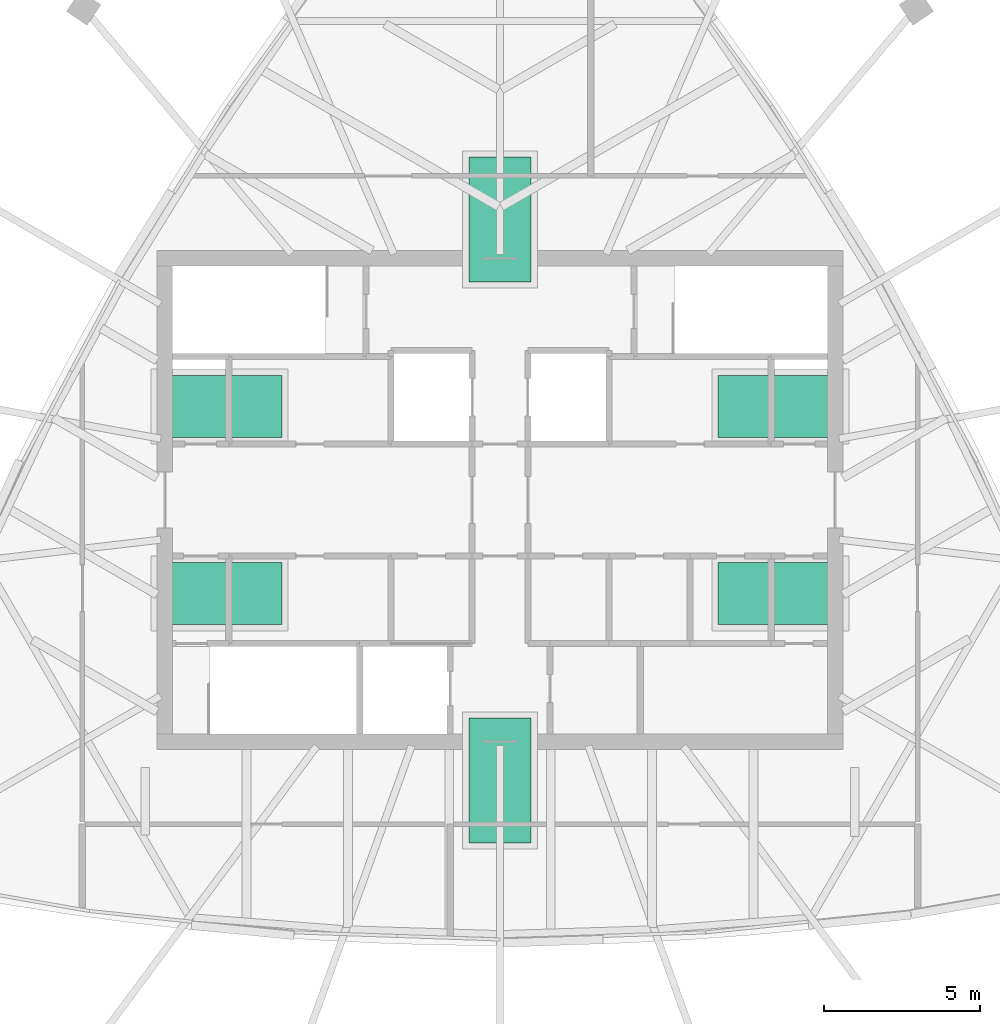
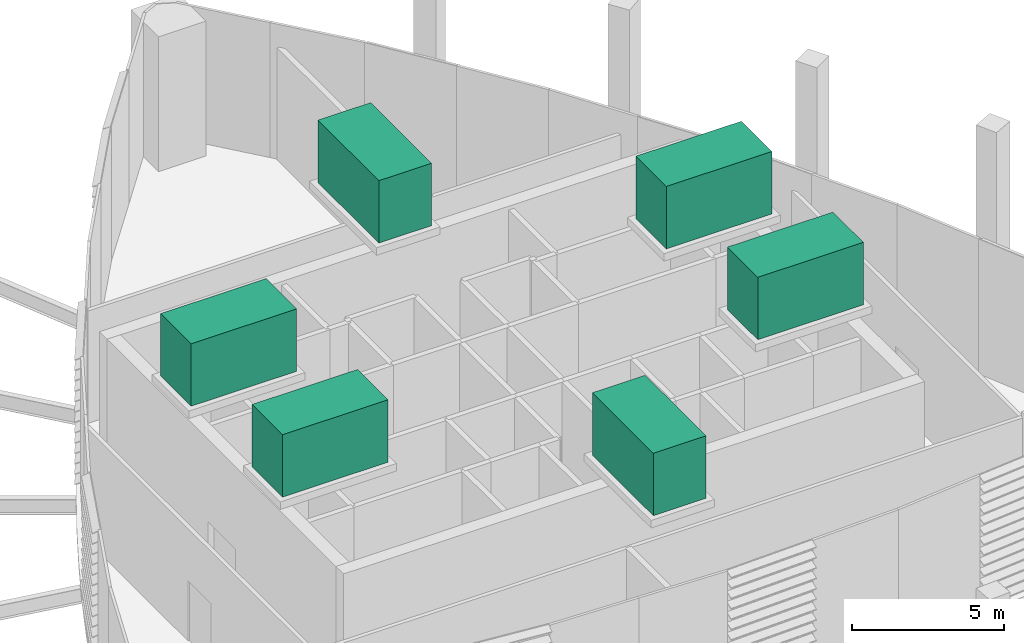
# One storey, part 8 of 8: 6 unitary equipment elements.
"""IFC4 building model written with IfcOpenShell, lengths in metres."""

import ifcopenshell
import ifcopenshell.guid

model = None  # the IFC model being written
_history = None  # IfcOwnerHistory: only IFC2X3 demands one
_inside = {}  # id of a spatial element -> (the spatial element, [elements in it])
_under = {}  # id of a project, library or spatial element -> (it, [spatial elements below it])
_declared = {}  # id of a project -> (the project, [libraries it declares])
_typed = {}  # id of a type object -> (the type object, [elements of that type])
_made_of = {}  # id of a material, layer set ... -> (it, [elements and type objects made of it])


def new_model(schema):
    """Start an empty IFC model of exactly this schema.

    Asked for "IFC4X3", IfcOpenShell would pick the latest addendum, in which some entities
    have other attributes; the version numbers below select the first issue.
    IFC2X3 requires an IfcOwnerHistory on every rooted entity: one is made here for all.
    """
    global model, _history
    if schema == "IFC4X3":
        model = ifcopenshell.file(schema_version=(4, 3, 0, 0))
    else:
        model = ifcopenshell.file(schema=schema)
    _inside.clear()
    _under.clear()
    _declared.clear()
    _typed.clear()
    _made_of.clear()
    _history = None
    if model.schema == "IFC2X3":
        org = make("IfcOrganization", Name="unknown")
        user = make(
            "IfcPersonAndOrganization",
            ThePerson=make("IfcPerson", FamilyName="unknown"),
            TheOrganization=org,
        )
        app = make(
            "IfcApplication",
            ApplicationDeveloper=org,
            Version="unknown",
            ApplicationFullName="unknown",
            ApplicationIdentifier="unknown",
        )
        _history = make(
            "IfcOwnerHistory",
            OwningUser=user,
            OwningApplication=app,
            ChangeAction="ADDED",
            CreationDate=0,
        )
    return model


def make(cls, **values):
    """One entity of the class cls with the attributes given. An attribute that is None is left unset."""
    return model.create_entity(
        cls, **{name: value for name, value in values.items() if value is not None}
    )


def rooted(cls, **values):
    """An entity with a GlobalId (a new one), such as an element, a storey or a relation."""
    return make(cls, GlobalId=ifcopenshell.guid.new(), OwnerHistory=_history, **values)


def si_unit(unit_type, name, prefix=None):
    """IfcSIUnit, for example si_unit("LENGTHUNIT", "METRE", prefix="MILLI")."""
    return make("IfcSIUnit", UnitType=unit_type, Prefix=prefix, Name=name)


def assignment(units):
    """IfcUnitAssignment: the units of a project."""
    return None if units is None else make("IfcUnitAssignment", Units=units)


def point(xyz):
    """IfcCartesianPoint."""
    return None if xyz is None else make("IfcCartesianPoint", Coordinates=xyz)


def direction(xyz):
    """IfcDirection."""
    return None if xyz is None else make("IfcDirection", DirectionRatios=xyz)


def frame(location, z_axis=None, x_axis=None):
    """IfcAxis2Placement3D, a coordinate frame: its origin and axes. An axis left out is left unset."""
    return make(
        "IfcAxis2Placement3D",
        Location=point(location),
        Axis=direction(z_axis),
        RefDirection=direction(x_axis),
    )


def frame_2d(location, x_axis=None):
    """IfcAxis2Placement2D, a coordinate frame in the plane: its origin and x axis."""
    return make(
        "IfcAxis2Placement2D", Location=point(location), RefDirection=direction(x_axis)
    )


def origin():
    """The frame at (0, 0, 0) with its axes left unset."""
    return frame((0.0, 0.0, 0.0))


def origin_2d():
    """The frame at (0, 0) in the plane with its x axis left unset."""
    return frame_2d((0.0, 0.0))


def place(relative_to, where):
    """IfcLocalPlacement: puts the frame where relative to a parent placement (None: the world)."""
    return make(
        "IfcLocalPlacement", PlacementRelTo=relative_to, RelativePlacement=where
    )


def context(
    kind, dimensions, precision=None, world=None, true_north=None, identifier=None
):
    """IfcGeometricRepresentationContext, for example the 3D "Model" context."""
    return make(
        "IfcGeometricRepresentationContext",
        ContextIdentifier=identifier,
        ContextType=kind,
        CoordinateSpaceDimension=dimensions,
        Precision=precision,
        WorldCoordinateSystem=world,
        TrueNorth=true_north,
    )


def subcontext(parent, identifier, kind, view, scale=None):
    """IfcGeometricRepresentationSubContext, for example "Body" below "Model"."""
    return make(
        "IfcGeometricRepresentationSubContext",
        ContextIdentifier=identifier,
        ContextType=kind,
        ParentContext=parent,
        TargetScale=scale,
        TargetView=view,
    )


def project(units=None, contexts=None):
    """IfcProject with its units and contexts."""
    return rooted(
        "IfcProject",
        Name="project",
        RepresentationContexts=contexts,
        UnitsInContext=assignment(units),
    )


def spatial(cls, under=None, at=None, **own):
    """A site, building, storey or space (cls), placed at a placement, below another one or the project."""
    s = rooted(cls, ObjectPlacement=at, **own)
    if under is not None:
        _under.setdefault(under.id(), (under, []))[1].append(s)
    return s


def profile(cls, at=None, kind="AREA", **sizes):
    """A parametric profile (cls). Its sizes go by their IFC names, for example OverallWidth=200.0."""
    return make(cls, ProfileType=kind, Position=at, **sizes)


def rectangle(**sizes):
    """IfcRectangleProfileDef."""
    return profile("IfcRectangleProfileDef", **sizes)


def extrude(swept, where, along, depth):
    """IfcExtrudedAreaSolid: the profile swept, set in the frame where, extruded along a direction by depth."""
    return make(
        "IfcExtrudedAreaSolid",
        SweptArea=swept,
        Position=where,
        ExtrudedDirection=direction(along),
        Depth=depth,
    )


def shape(context_of_items, identifier, shape_type, items):
    """IfcShapeRepresentation: the items that make up one representation, for example the "Body"."""
    return make(
        "IfcShapeRepresentation",
        ContextOfItems=context_of_items,
        RepresentationIdentifier=identifier,
        RepresentationType=shape_type,
        Items=items,
    )


def material(Name=None, Category=None):
    """IfcMaterial."""
    return make("IfcMaterial", Name=Name, Category=Category)


def made_of(thing, what):
    """Note that an element or type object is made of a material, layer set ...; save() writes the relation."""
    if what is not None:
        _made_of.setdefault(what.id(), (what, []))[1].append(thing)
    return thing


def type_object(cls, material=None, **own):
    """A type object (cls), such as IfcWallType, which elements share."""
    return made_of(rooted(cls, **own), material)


def element(
    cls,
    number,
    at=None,
    inside=None,
    cuts=None,
    type_object=None,
    material=None,
    context=None,
    identifier="Body",
    shape_type=None,
    held_by="IfcProductDefinitionShape",
    body=None,
    shapes=None,
    **own,
):
    """One element of the class cls, such as IfcWall. Its Tag is "e" and its number.

    at: its placement. inside: the storey or other place that contains it. cuts: it is an
    opening in that element (IfcRelVoidsElement). A single representation is given by context,
    identifier, shape_type and body (its items); several are given by shapes. held_by: the class
    of the entity that holds the representations. save() writes the other relations.
    """
    e = rooted(cls, Tag="e%d" % number, ObjectPlacement=at, **own)
    if body is not None:
        shapes = [shape(context, identifier, shape_type, body)]
    if shapes is not None:
        e.Representation = make(held_by, Representations=shapes)
    if inside is not None:
        _inside.setdefault(inside.id(), (inside, []))[1].append(e)
    if cuts is not None:
        rooted(
            "IfcRelVoidsElement", RelatingBuildingElement=cuts, RelatedOpeningElement=e
        )
    if type_object is not None:
        _typed.setdefault(type_object.id(), (type_object, []))[1].append(e)
    return made_of(e, material)


def aggregate(whole, parts):
    """IfcRelAggregates: a whole, such as a stair, and the parts it consists of."""
    return rooted("IfcRelAggregates", RelatingObject=whole, RelatedObjects=parts)


def save(model, path):
    """Write the relations noted so far, then the file.

    IfcRelAggregates (storeys below a building ...), IfcRelContainedInSpatialStructure (elements
    in a storey), IfcRelDefinesByType, IfcRelAssociatesMaterial and IfcRelDeclares: one each for
    every whole, place, type object, material and project.
    """
    for whole, parts in _under.values():
        aggregate(whole, parts)
    for where, things in _inside.values():
        rooted(
            "IfcRelContainedInSpatialStructure",
            RelatedElements=things,
            RelatingStructure=where,
        )
    for kind, things in _typed.values():
        rooted("IfcRelDefinesByType", RelatedObjects=things, RelatingType=kind)
    for what, things in _made_of.values():
        rooted("IfcRelAssociatesMaterial", RelatedObjects=things, RelatingMaterial=what)
    for by, libraries in _declared.values():
        rooted("IfcRelDeclares", RelatingContext=by, RelatedDefinitions=libraries)
    model.write(path)


model = new_model("IFC4")

# Units and contexts
model_context = context("Model", 3, precision=1e-05, world=origin(), true_north=direction((0.0, 1.0)))
body_context = subcontext(model_context, "Body", "Model", "MODEL_VIEW")
ifc_project = project(units=[si_unit("LENGTHUNIT", "METRE"), si_unit("AREAUNIT", "SQUARE_METRE"), si_unit("VOLUMEUNIT", "CUBIC_METRE"), si_unit("PLANEANGLEUNIT", "RADIAN"), si_unit("MASSUNIT", "GRAM", prefix="KILO")], contexts=[model_context])

# Site, building, storey
site_placement = place(None, origin())
site = spatial("IfcSite", under=ifc_project, at=site_placement, CompositionType="ELEMENT")
building_placement = place(site_placement, origin())
building = spatial("IfcBuilding", under=site, at=building_placement, Name="Sierra Prisma Convention Tower", CompositionType="ELEMENT")
storey_placement = place(building_placement, frame((0.0, 0.0, 355.60009765625)))
storey = spatial("IfcBuildingStorey", under=building, at=storey_placement, Name="L79", CompositionType="ELEMENT", Elevation=355.60009765625)

# Unitary equipment
ifc_material = material(Name="Galvanised steel", Category="steel")
unitary_equipment_type = type_object("IfcUnitaryEquipmentType", Name="Roof plant unit", PredefinedType="AIRHANDLER", material=ifc_material)
for number, where, z_axis, x_axis, name in (
    (1, (-9.0, 3.0, 6.0498046875), (0.0, 0.0, 1.0), (1.0, 0.0, 0.0), "Roof plant unit 1"),
    (2, (-9.0, -3.0, 6.0498046875), (0.0, 0.0, 1.0), (1.0, 0.0, 0.0), "Roof plant unit 2"),
    (3, (9.0, 3.0, 6.0498046875), (0.0, 0.0, 1.0), (1.0, 0.0, 0.0), "Roof plant unit 3"),
    (4, (9.0, -3.0, 6.0498046875), (0.0, 0.0, 1.0), (1.0, 0.0, 0.0), "Roof plant unit 4"),
    (5, (0.0, 9.0, 6.0498046875), (0.0, 0.0, 1.0), (0.0, 1.0, 0.0), "Roof plant unit 5"),
    (6, (0.0, -9.0, 6.0498046875), (0.0, 0.0, 1.0), (0.0, 1.0, 0.0), "Roof plant unit 6"),
):
    element("IfcUnitaryEquipment", number, at=place(storey_placement, frame(where, z_axis=z_axis, x_axis=x_axis)), inside=storey, type_object=unitary_equipment_type, Name=name, PredefinedType="AIRHANDLER", context=body_context, shape_type="SweptSolid", body=[
        extrude(rectangle(XDim=4.0, YDim=2.0, at=origin_2d()), origin(), (0.0, 0.0, 1.0), 2.5),
    ])

save(model, "model.ifc")
